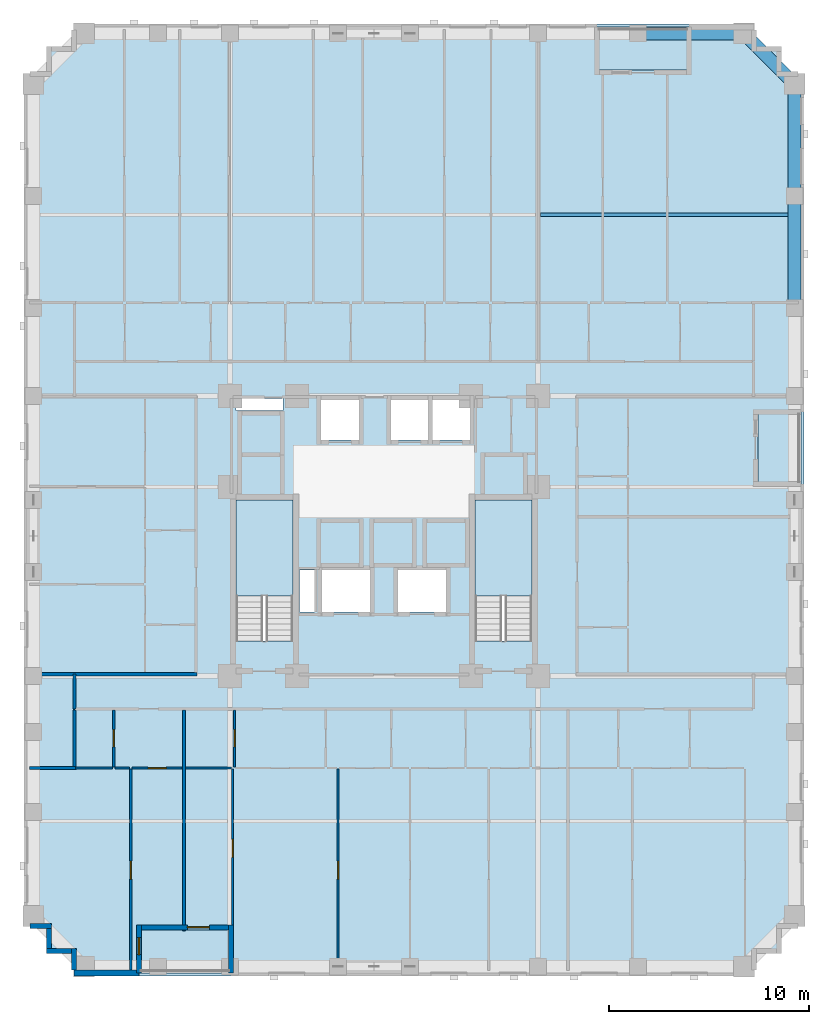
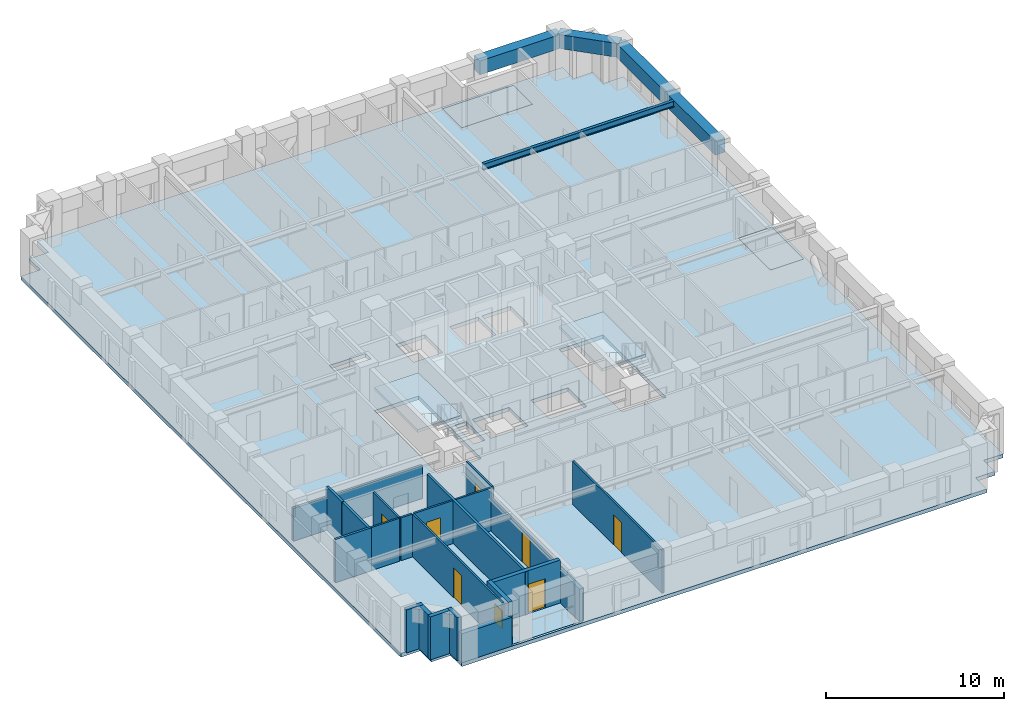
# One storey, part 2 of 14: 22 walls, 7 doors, 6 slabs, 5 beams, 1 window, 8 openings, 2 elements without a shape of their own.
"""IFC4 building model written with IfcOpenShell, lengths in metres."""

import ifcopenshell
import ifcopenshell.guid

model = None  # the IFC model being written
_history = None  # IfcOwnerHistory: only IFC2X3 demands one
_inside = {}  # id of a spatial element -> (the spatial element, [elements in it])
_under = {}  # id of a project, library or spatial element -> (it, [spatial elements below it])
_declared = {}  # id of a project -> (the project, [libraries it declares])
_typed = {}  # id of a type object -> (the type object, [elements of that type])
_made_of = {}  # id of a material, layer set ... -> (it, [elements and type objects made of it])


def new_model(schema):
    """Start an empty IFC model of exactly this schema.

    Asked for "IFC4X3", IfcOpenShell would pick the latest addendum, in which some entities
    have other attributes; the version numbers below select the first issue.
    IFC2X3 requires an IfcOwnerHistory on every rooted entity: one is made here for all.
    """
    global model, _history
    if schema == "IFC4X3":
        model = ifcopenshell.file(schema_version=(4, 3, 0, 0))
    else:
        model = ifcopenshell.file(schema=schema)
    _inside.clear()
    _under.clear()
    _declared.clear()
    _typed.clear()
    _made_of.clear()
    _history = None
    if model.schema == "IFC2X3":
        org = make("IfcOrganization", Name="unknown")
        user = make(
            "IfcPersonAndOrganization",
            ThePerson=make("IfcPerson", FamilyName="unknown"),
            TheOrganization=org,
        )
        app = make(
            "IfcApplication",
            ApplicationDeveloper=org,
            Version="unknown",
            ApplicationFullName="unknown",
            ApplicationIdentifier="unknown",
        )
        _history = make(
            "IfcOwnerHistory",
            OwningUser=user,
            OwningApplication=app,
            ChangeAction="ADDED",
            CreationDate=0,
        )
    return model


def make(cls, **values):
    """One entity of the class cls with the attributes given. An attribute that is None is left unset."""
    return model.create_entity(
        cls, **{name: value for name, value in values.items() if value is not None}
    )


def rooted(cls, **values):
    """An entity with a GlobalId (a new one), such as an element, a storey or a relation."""
    return make(cls, GlobalId=ifcopenshell.guid.new(), OwnerHistory=_history, **values)


def si_unit(unit_type, name, prefix=None):
    """IfcSIUnit, for example si_unit("LENGTHUNIT", "METRE", prefix="MILLI")."""
    return make("IfcSIUnit", UnitType=unit_type, Prefix=prefix, Name=name)


def derived_unit(unit_type, elements):
    """IfcDerivedUnit: a product of units, each with its exponent."""
    return make(
        "IfcDerivedUnit",
        Elements=[
            make("IfcDerivedUnitElement", Unit=unit, Exponent=power)
            for unit, power in elements
        ],
        UnitType=unit_type,
    )


def assignment(units):
    """IfcUnitAssignment: the units of a project."""
    return None if units is None else make("IfcUnitAssignment", Units=units)


def point(xyz):
    """IfcCartesianPoint."""
    return None if xyz is None else make("IfcCartesianPoint", Coordinates=xyz)


def direction(xyz):
    """IfcDirection."""
    return None if xyz is None else make("IfcDirection", DirectionRatios=xyz)


def frame(location, z_axis=None, x_axis=None):
    """IfcAxis2Placement3D, a coordinate frame: its origin and axes. An axis left out is left unset."""
    return make(
        "IfcAxis2Placement3D",
        Location=point(location),
        Axis=direction(z_axis),
        RefDirection=direction(x_axis),
    )


def frame_2d(location, x_axis=None):
    """IfcAxis2Placement2D, a coordinate frame in the plane: its origin and x axis."""
    return make(
        "IfcAxis2Placement2D", Location=point(location), RefDirection=direction(x_axis)
    )


def origin():
    """The frame at (0, 0, 0) with its axes left unset."""
    return frame((0.0, 0.0, 0.0))


def origin_2d():
    """The frame at (0, 0) in the plane with its x axis left unset."""
    return frame_2d((0.0, 0.0))


def place(relative_to, where):
    """IfcLocalPlacement: puts the frame where relative to a parent placement (None: the world)."""
    return make(
        "IfcLocalPlacement", PlacementRelTo=relative_to, RelativePlacement=where
    )


def context(
    kind, dimensions, precision=None, world=None, true_north=None, identifier=None
):
    """IfcGeometricRepresentationContext, for example the 3D "Model" context."""
    return make(
        "IfcGeometricRepresentationContext",
        ContextIdentifier=identifier,
        ContextType=kind,
        CoordinateSpaceDimension=dimensions,
        Precision=precision,
        WorldCoordinateSystem=world,
        TrueNorth=true_north,
    )


def subcontext(parent, identifier, kind, view, scale=None):
    """IfcGeometricRepresentationSubContext, for example "Body" below "Model"."""
    return make(
        "IfcGeometricRepresentationSubContext",
        ContextIdentifier=identifier,
        ContextType=kind,
        ParentContext=parent,
        TargetScale=scale,
        TargetView=view,
    )


def project(units=None, contexts=None):
    """IfcProject with its units and contexts."""
    return rooted(
        "IfcProject",
        Name="project",
        RepresentationContexts=contexts,
        UnitsInContext=assignment(units),
    )


def spatial(cls, under=None, at=None, **own):
    """A site, building, storey or space (cls), placed at a placement, below another one or the project."""
    s = rooted(cls, ObjectPlacement=at, **own)
    if under is not None:
        _under.setdefault(under.id(), (under, []))[1].append(s)
    return s


def polyline(points):
    """IfcPolyline through the points."""
    return make("IfcPolyline", Points=[point(p) for p in points])


def profile(cls, at=None, kind="AREA", **sizes):
    """A parametric profile (cls). Its sizes go by their IFC names, for example OverallWidth=200.0."""
    return make(cls, ProfileType=kind, Position=at, **sizes)


def rectangle(**sizes):
    """IfcRectangleProfileDef."""
    return profile("IfcRectangleProfileDef", **sizes)


def i_section(**sizes):
    """IfcIShapeProfileDef."""
    return profile("IfcIShapeProfileDef", **sizes)


def outline(outer, holes=None, kind="AREA"):
    """IfcArbitraryClosedProfileDef: a profile drawn as a closed curve; with holes, ...WithVoids."""
    if holes is None:
        return make("IfcArbitraryClosedProfileDef", ProfileType=kind, OuterCurve=outer)
    return make(
        "IfcArbitraryProfileDefWithVoids",
        ProfileType=kind,
        OuterCurve=outer,
        InnerCurves=holes,
    )


def extrude(swept, where, along, depth):
    """IfcExtrudedAreaSolid: the profile swept, set in the frame where, extruded along a direction by depth."""
    return make(
        "IfcExtrudedAreaSolid",
        SweptArea=swept,
        Position=where,
        ExtrudedDirection=direction(along),
        Depth=depth,
    )


def shape(context_of_items, identifier, shape_type, items):
    """IfcShapeRepresentation: the items that make up one representation, for example the "Body"."""
    return make(
        "IfcShapeRepresentation",
        ContextOfItems=context_of_items,
        RepresentationIdentifier=identifier,
        RepresentationType=shape_type,
        Items=items,
    )


def material(Name=None, Category=None):
    """IfcMaterial."""
    return make("IfcMaterial", Name=Name, Category=Category)


def layer(
    of_material, thickness, ventilated=None, Name=None, Category=None, Priority=None
):
    """IfcMaterialLayer: one layer of a wall or slab, of a material (None: an air gap)."""
    return make(
        "IfcMaterialLayer",
        Material=of_material,
        LayerThickness=thickness,
        IsVentilated=ventilated,
        Name=Name,
        Category=Category,
        Priority=Priority,
    )


def layer_set(layers, Name=None):
    """IfcMaterialLayerSet."""
    return make("IfcMaterialLayerSet", MaterialLayers=layers, LayerSetName=Name)


def material_profile(
    of_material, cross_section, Name=None, Category=None, Priority=None
):
    """IfcMaterialProfile: a cross section and its material."""
    return make(
        "IfcMaterialProfile",
        Name=Name,
        Material=of_material,
        Profile=cross_section,
        Priority=Priority,
        Category=Category,
    )


def profile_set(profiles, Name=None, composite=None):
    """IfcMaterialProfileSet."""
    return make(
        "IfcMaterialProfileSet",
        Name=Name,
        MaterialProfiles=profiles,
        CompositeProfile=composite,
    )


def made_of(thing, what):
    """Note that an element or type object is made of a material, layer set ...; save() writes the relation."""
    if what is not None:
        _made_of.setdefault(what.id(), (what, []))[1].append(thing)
    return thing


def type_object(cls, material=None, **own):
    """A type object (cls), such as IfcWallType, which elements share."""
    return made_of(rooted(cls, **own), material)


def element(
    cls,
    number,
    at=None,
    inside=None,
    cuts=None,
    type_object=None,
    material=None,
    context=None,
    identifier="Body",
    shape_type=None,
    held_by="IfcProductDefinitionShape",
    body=None,
    shapes=None,
    **own,
):
    """One element of the class cls, such as IfcWall. Its Tag is "e" and its number.

    at: its placement. inside: the storey or other place that contains it. cuts: it is an
    opening in that element (IfcRelVoidsElement). A single representation is given by context,
    identifier, shape_type and body (its items); several are given by shapes. held_by: the class
    of the entity that holds the representations. save() writes the other relations.
    """
    e = rooted(cls, Tag="e%d" % number, ObjectPlacement=at, **own)
    if body is not None:
        shapes = [shape(context, identifier, shape_type, body)]
    if shapes is not None:
        e.Representation = make(held_by, Representations=shapes)
    if inside is not None:
        _inside.setdefault(inside.id(), (inside, []))[1].append(e)
    if cuts is not None:
        rooted(
            "IfcRelVoidsElement", RelatingBuildingElement=cuts, RelatedOpeningElement=e
        )
    if type_object is not None:
        _typed.setdefault(type_object.id(), (type_object, []))[1].append(e)
    return made_of(e, material)


def fill(opening, filler):
    """IfcRelFillsElement: the door or window that sits in an opening."""
    return rooted(
        "IfcRelFillsElement",
        RelatingOpeningElement=opening,
        RelatedBuildingElement=filler,
    )


def aggregate(whole, parts):
    """IfcRelAggregates: a whole, such as a stair, and the parts it consists of."""
    return rooted("IfcRelAggregates", RelatingObject=whole, RelatedObjects=parts)


def save(model, path):
    """Write the relations noted so far, then the file.

    IfcRelAggregates (storeys below a building ...), IfcRelContainedInSpatialStructure (elements
    in a storey), IfcRelDefinesByType, IfcRelAssociatesMaterial and IfcRelDeclares: one each for
    every whole, place, type object, material and project.
    """
    for whole, parts in _under.values():
        aggregate(whole, parts)
    for where, things in _inside.values():
        rooted(
            "IfcRelContainedInSpatialStructure",
            RelatedElements=things,
            RelatingStructure=where,
        )
    for kind, things in _typed.values():
        rooted("IfcRelDefinesByType", RelatedObjects=things, RelatingType=kind)
    for what, things in _made_of.values():
        rooted("IfcRelAssociatesMaterial", RelatedObjects=things, RelatingMaterial=what)
    for by, libraries in _declared.values():
        rooted("IfcRelDeclares", RelatingContext=by, RelatedDefinitions=libraries)
    model.write(path)


model = new_model("IFC4")

# Units and contexts
model_context = context("Model", 3, precision=1e-05, world=origin(), true_north=direction((0.0, 1.0)))
body_context = subcontext(model_context, "Body", "Model", "MODEL_VIEW")
ifc_project = project(units=[si_unit("LENGTHUNIT", "METRE"), si_unit("AREAUNIT", "SQUARE_METRE"), si_unit("VOLUMEUNIT", "CUBIC_METRE"), si_unit("PLANEANGLEUNIT", "RADIAN"), si_unit("MASSUNIT", "GRAM", prefix="KILO"), derived_unit("THERMALTRANSMITTANCEUNIT", [(si_unit("MASSUNIT", "GRAM", prefix="KILO"), 1), (si_unit("TIMEUNIT", "SECOND"), -3), (si_unit("THERMODYNAMICTEMPERATUREUNIT", "KELVIN"), -1)])], contexts=[model_context])

# Site, building, storey
site_placement = place(None, origin())
site = spatial("IfcSite", under=ifc_project, at=site_placement, CompositionType="ELEMENT")
building_placement = place(site_placement, origin())
building = spatial("IfcBuilding", under=site, at=building_placement, Name="Korrvale Station Residences", CompositionType="ELEMENT")
storey_placement = place(building_placement, frame((0.0, 0.0, 51.39990234375)))
storey = spatial("IfcBuildingStorey", under=building, at=storey_placement, Name="L13", CompositionType="ELEMENT", Elevation=51.39990234375)

# Beams
ifc_material_1 = material(Name="Steel S355", Category="steel")
ifc_material_profile_1 = material_profile(ifc_material_1, i_section(OverallWidth=0.180908203125, OverallDepth=0.4169921875, WebThickness=0.010986328125, FlangeThickness=0.018310546875, FilletRadius=0.01611328125, at=origin_2d()), Name="W410x85")
ifc_profile_set_1 = profile_set([ifc_material_profile_1], Name="Steel S355")
beam_type_1 = type_object("IfcBeamType", Name="BM-JST-W410x85-S355", PredefinedType="JOIST", material=ifc_profile_set_1)
beam_1_placement = place(storey_placement, frame((33.327880859375, 38.06005859375, 2.731689453125), z_axis=(1.0, 0.0, 0.0), x_axis=(0.0, 1.0, 0.0)))
element("IfcBeam", 1, at=beam_1_placement, inside=storey, type_object=beam_type_1, Name="L13 Floor Framing Joist 06", PredefinedType="JOIST", context=body_context, shape_type="SweptSolid", body=[
    extrude(i_section(OverallWidth=0.180908203125, OverallDepth=0.4169921875, WebThickness=0.010986328125, FlangeThickness=0.018310546875, FilletRadius=0.01611328125, at=origin_2d()), origin(), (0.0, 0.0, 1.0), 12.3671875),
])
ifc_material_2 = material(Name="Concrete C70/85", Category="concrete")
ifc_material_profile_2 = material_profile(ifc_material_2, rectangle(XDim=0.64990234375, YDim=0.949951171875, at=origin_2d()), Name="RCB650x950")
ifc_profile_set_2 = profile_set([ifc_material_profile_2], Name="Concrete C70/85")
beam_type_2 = type_object("IfcBeamType", Name="BM-SPB-RCB650x950-C7085", PredefinedType="SPANDREL", material=ifc_profile_set_2)
beam_2_placement = place(storey_placement, frame((38.199951171875, 47.1201171875, 2.465087890625), z_axis=(1.0, 0.0, 0.0), x_axis=(0.0, 1.0, 0.0)))
element("IfcBeam", 2, at=beam_2_placement, inside=storey, type_object=beam_type_2, Name="L13 North Tube Spandrel 14", PredefinedType="SPANDREL", context=body_context, shape_type="SweptSolid", body=[
    extrude(rectangle(XDim=0.64990234375, YDim=0.949951171875, at=origin_2d()), origin(), (0.0, 0.0, 1.0), 5.300048828125),
])
for number, where, z_axis, x_axis, name in (
    (3, (46.02001953125, 33.39990234375, 2.465087890625), (0.0, 1.0, 0.0), (-1.0, 0.0, 0.0), "L13 East Tube Spandrel 31"),
    (4, (46.02001953125, 39.0, 2.465087890625), (0.0, 1.0, 0.0), (-1.0, 0.0, 0.0), "L13 East Tube Spandrel 32"),
):
    element("IfcBeam", number, at=place(storey_placement, frame(where, z_axis=z_axis, x_axis=x_axis)), inside=storey, type_object=beam_type_2, Name=name, PredefinedType="SPANDREL", context=body_context, shape_type="SweptSolid", body=[
        extrude(rectangle(XDim=0.64990234375, YDim=0.949951171875, at=origin_2d()), origin(), (0.0, 0.0, 1.0), 5.60009765625),
    ])
beam_3_placement = place(storey_placement, frame((43.5, 47.1201171875, 2.465087890625), z_axis=(0.707106781187, -0.707106781187, 0.0), x_axis=(0.707106781187, 0.707106781187, 0.0)))
element("IfcBeam", 5, at=beam_3_placement, inside=storey, type_object=beam_type_2, Name="L13 Serrated Corner Spandrel 35", PredefinedType="SPANDREL", context=body_context, shape_type="SweptSolid", body=[
    extrude(rectangle(XDim=0.64990234375, YDim=0.949951171875, at=origin_2d()), origin(), (0.0, 0.0, 1.0), 3.56396484375),
])

# Slabs
ifc_material_3 = material(Name="Concrete C50/60", Category="concrete")
ifc_layer_1 = layer(ifc_material_3, 0.219970703125, Name="Concrete C50/60")
ifc_layer_set_1 = layer_set([ifc_layer_1], Name="Concrete C50/60")
slab_type_1 = type_object("IfcSlabType", Name="SLB-BAL-220", PredefinedType="FLOOR", material=ifc_layer_set_1)
slab_1_placement = place(storey_placement, frame((0.0, 0.0, -0.219970703125)))
element("IfcSlab", 6, at=slab_1_placement, inside=storey, type_object=slab_type_1, Name="L13 Recessed Loggia Balcony Slab BAL-L13-S1", PredefinedType="FLOOR", context=body_context, shape_type="SweptSolid", body=[
    extrude(outline(polyline([(13.25, 0.14990234375), (17.85009765625, 0.14990234375), (17.85009765625, 2.300048828125), (13.25, 2.300048828125), (13.25, 0.14990234375)])), origin(), (0.0, 0.0, 1.0), 0.219970703125),
])
slab_2_placement = place(storey_placement, frame((0.0, 0.0, -0.219970703125)))
element("IfcSlab", 7, at=slab_2_placement, inside=storey, type_object=slab_type_1, Name="L13 Recessed Loggia Balcony Slab BAL-L13-N1", PredefinedType="FLOOR", context=body_context, shape_type="SweptSolid", body=[
    extrude(outline(polyline([(36.14990234375, 45.300048828125), (40.75, 45.300048828125), (40.75, 47.449951171875), (36.14990234375, 47.449951171875), (36.14990234375, 45.300048828125)])), origin(), (0.0, 0.0, 1.0), 0.219970703125),
])
slab_3_placement = place(storey_placement, frame((0.0, 0.0, -0.219970703125)))
element("IfcSlab", 8, at=slab_3_placement, inside=storey, type_object=slab_type_1, Name="L13 Recessed Loggia Balcony Slab BAL-L13-E1", PredefinedType="FLOOR", context=body_context, shape_type="SweptSolid", body=[
    extrude(outline(polyline([(44.199951171875, 24.60009765625), (46.35009765625, 24.60009765625), (46.35009765625, 28.199951171875), (44.199951171875, 28.199951171875), (44.199951171875, 24.60009765625)])), origin(), (0.0, 0.0, 1.0), 0.219970703125),
])
ifc_layer_2 = layer(ifc_material_3, 0.260009765625, Name="Concrete C50/60")
ifc_layer_set_2 = layer_set([ifc_layer_2], Name="Concrete C50/60")
slab_type_2 = type_object("IfcSlabType", Name="SLB-FLR-260", PredefinedType="FLOOR", material=ifc_layer_set_2)
slab_4_placement = place(storey_placement, frame((0.0, 0.0, -0.260009765625)))
element("IfcSlab", 9, at=slab_4_placement, inside=storey, type_object=slab_type_2, Name="L13 Suspended Structural Floor Slab", PredefinedType="FLOOR", context=body_context, shape_type="SweptSolid", body=[
    extrude(outline(polyline([(10.0, 0.0), (44.0, 0.0), (44.0, 1.25), (45.25, 1.25), (45.25, 2.5), (46.5, 2.5), (46.5, 45.10009765625), (45.25, 45.10009765625), (45.25, 46.35009765625), (44.0, 46.35009765625), (44.0, 47.60009765625), (10.0, 47.60009765625), (10.0, 46.35009765625), (8.75, 46.35009765625), (8.75, 45.10009765625), (7.5, 45.10009765625), (7.5, 2.5), (8.75, 2.5), (8.75, 1.25), (10.0, 1.25), (10.0, 0.0)]), holes=[polyline([(20.949951171875, 16.751953125), (20.949951171875, 23.800048828125), (18.10009765625, 23.800048828125), (18.10009765625, 16.751953125), (20.949951171875, 16.751953125)]), polyline([(32.89990234375, 16.751953125), (32.89990234375, 23.800048828125), (30.050048828125, 23.800048828125), (30.050048828125, 16.751953125), (32.89990234375, 16.751953125)]), polyline([(22.35009765625, 26.800048828125), (24.25, 26.800048828125), (24.25, 28.800048828125), (22.35009765625, 28.800048828125), (22.35009765625, 26.800048828125)]), polyline([(25.85009765625, 26.800048828125), (27.7099609375, 26.800048828125), (27.7099609375, 28.800048828125), (25.85009765625, 28.800048828125), (25.85009765625, 26.800048828125)]), polyline([(27.929931640625, 26.800048828125), (29.7900390625, 26.800048828125), (29.7900390625, 28.800048828125), (27.929931640625, 28.800048828125), (27.929931640625, 26.800048828125)]), polyline([(22.39990234375, 18.199951171875), (24.800048828125, 18.199951171875), (24.800048828125, 20.300048828125), (22.39990234375, 20.300048828125), (22.39990234375, 18.199951171875)]), polyline([(26.199951171875, 18.199951171875), (28.60009765625, 18.199951171875), (28.60009765625, 20.300048828125), (26.199951171875, 20.300048828125), (26.199951171875, 18.199951171875)]), polyline([(18.10009765625, 28.280029296875), (20.449951171875, 28.280029296875), (20.449951171875, 28.8798828125), (18.10009765625, 28.8798828125), (18.10009765625, 28.280029296875)]), polyline([(21.280029296875, 18.199951171875), (22.02001953125, 18.199951171875), (22.02001953125, 20.300048828125), (21.280029296875, 20.300048828125), (21.280029296875, 18.199951171875)]), polyline([(13.25, 0.14990234375), (17.85009765625, 0.14990234375), (17.85009765625, 2.300048828125), (13.25, 2.300048828125), (13.25, 0.14990234375)]), polyline([(36.14990234375, 45.300048828125), (40.75, 45.300048828125), (40.75, 47.449951171875), (36.14990234375, 47.449951171875), (36.14990234375, 45.300048828125)]), polyline([(44.199951171875, 24.60009765625), (46.35009765625, 24.60009765625), (46.35009765625, 28.199951171875), (44.199951171875, 28.199951171875), (44.199951171875, 24.60009765625)])]), origin(), (0.0, 0.0, 1.0), 0.260009765625),
])

# Stair, slab
stair_type = type_object("IfcStairType", Name="STR-DL-1350-18R-1778", PredefinedType="HALF_TURN_STAIR", material=ifc_material_3)
stair_1_placement = place(storey_placement, origin())
stair_1 = element("IfcStair", 10, at=stair_1_placement, inside=storey, type_object=stair_type, Name="L13 Exit Stair 1", PredefinedType="HALF_TURN_STAIR")
ifc_layer_3 = layer(ifc_material_3, 0.199951171875, Name="Concrete C50/60")
ifc_layer_set_3 = layer_set([ifc_layer_3], Name="Concrete C50/60")
slab_type_3 = type_object("IfcSlabType", Name="SLB-LND-200", PredefinedType="LANDING", material=ifc_layer_set_3)
slab_5_placement = place(storey_placement, frame((0.0, 0.0, 1.400146484375)))
slab_5 = element("IfcSlab", 11, at=slab_5_placement, type_object=slab_type_3, Name="ST-1 landing 1", PredefinedType="LANDING", context=body_context, shape_type="SweptSolid", body=[
    extrude(outline(polyline([(20.949951171875, 18.989990234375), (20.949951171875, 23.800048828125), (18.10009765625, 23.800048828125), (18.10009765625, 18.989990234375), (20.949951171875, 18.989990234375)])), origin(), (0.0, 0.0, 1.0), 0.199951171875),
])
aggregate(stair_1, [slab_5])

stair_2_placement = place(storey_placement, origin())
stair_2 = element("IfcStair", 12, at=stair_2_placement, inside=storey, type_object=stair_type, Name="L13 Exit Stair 2", PredefinedType="HALF_TURN_STAIR")
slab_6_placement = place(storey_placement, frame((0.0, 0.0, 1.400146484375)))
slab_6 = element("IfcSlab", 13, at=slab_6_placement, type_object=slab_type_3, Name="ST-2 landing 1", PredefinedType="LANDING", context=body_context, shape_type="SweptSolid", body=[
    extrude(outline(polyline([(32.89990234375, 18.989990234375), (32.89990234375, 23.800048828125), (30.050048828125, 23.800048828125), (30.050048828125, 18.989990234375), (32.89990234375, 18.989990234375)])), origin(), (0.0, 0.0, 1.0), 0.199951171875),
])
aggregate(stair_2, [slab_6])

# Wall
ifc_material_4 = material(Name="Precast concrete C45/55", Category="concrete")
ifc_layer_4 = layer(ifc_material_4, 0.260009765625, Name="Precast concrete C45/55")
ifc_layer_set_4 = layer_set([ifc_layer_4], Name="Precast concrete C45/55")
wall_type_1 = type_object("IfcWallType", Name="WAL-EXT-LOG260", PredefinedType="SOLIDWALL", material=ifc_layer_set_4)
wall_1_placement = place(storey_placement, frame((17.85009765625, 0.159912109375, 0.0), z_axis=(0.0, 0.0, 1.0), x_axis=(0.0, 1.0, 0.0)))
element("IfcWall", 14, at=wall_1_placement, inside=storey, type_object=wall_type_1, Name="L13 Recessed Loggia Wall BAL-L13-S1-L", PredefinedType="SOLIDWALL", context=body_context, shape_type="SweptSolid", body=[
    extrude(rectangle(XDim=2.400146484375, YDim=0.260009765625, at=frame_2d((1.2001953125, 0.0))), origin(), (0.0, 0.0, 1.0), 2.232177734375),
])

# Wall, opening, door
wall_2_placement = place(storey_placement, frame((17.716064453125, 2.429931640625, 0.0), z_axis=(0.0, 0.0, 1.0), x_axis=(-1.0, 0.0, 0.0)))
wall_2 = element("IfcWall", 15, at=wall_2_placement, inside=storey, type_object=wall_type_1, Name="L13 Recessed Loggia Wall BAL-L13-S1-B", PredefinedType="SOLIDWALL", context=body_context, shape_type="SweptSolid", body=[
    extrude(rectangle(XDim=4.33203125, YDim=0.260009765625, at=frame_2d((2.166015625, 0.0))), origin(), (0.0, 0.0, 1.0), 2.940185546875),
])
opening_1_placement = place(wall_2_placement, frame((0.949951171875, 0.0, 0.0)))
opening_1 = element("IfcOpeningElement", 16, at=opening_1_placement, cuts=wall_2, Name="Opening BD-01", PredefinedType="OPENING", context=body_context, shape_type="SweptSolid", body=[
    extrude(rectangle(XDim=1.10009765625, YDim=2.0, at=frame_2d((0.550048828125, 1.0))), frame((0.0, 0.14013671875, 0.0), z_axis=(0.0, -1.0, 0.0), x_axis=(1.0, 0.0, 0.0)), (0.0, 0.0, 1.0), 0.280029296875),
])
ifc_material_5 = material(Name="Exterior thermally broken aluminium glazed balcony door", Category="aluminium")
door_type_1 = type_object("IfcDoorType", Name="DR-EXT-BAL", OperationType="NOTDEFINED", PredefinedType="DOOR", material=ifc_material_5)
door_1_placement = place(opening_1_placement, origin())
door_1 = element("IfcDoor", 17, at=door_1_placement, inside=storey, type_object=door_type_1, Name="L13 Loggia Balcony Door BAL-L13-S1", OperationType="SINGLE_SWING_LEFT", OverallHeight=2.0, OverallWidth=1.10009765625, PredefinedType="DOOR", context=body_context, shape_type="SweptSolid", body=[
    extrude(rectangle(XDim=1.10009765625, YDim=2.0, at=frame_2d((0.550048828125, 1.0))), frame((0.0, 0.02490234375, 0.0), z_axis=(0.0, -1.0, 0.0), x_axis=(1.0, 0.0, 0.0)), (0.0, 0.0, 1.0), 0.050048828125),
])
fill(opening_1, door_1)

# Wall, opening, window
wall_3_placement = place(storey_placement, frame((13.25, 2.56005859375, 0.0), z_axis=(0.0, 0.0, 1.0), x_axis=(0.0, -1.0, 0.0)))
wall_3 = element("IfcWall", 18, at=wall_3_placement, inside=storey, type_object=wall_type_1, Name="L13 Recessed Loggia Wall BAL-L13-S1-R", PredefinedType="SOLIDWALL", context=body_context, shape_type="SweptSolid", body=[
    extrude(rectangle(XDim=2.400146484375, YDim=0.260009765625, at=frame_2d((1.2001953125, 0.0))), origin(), (0.0, 0.0, 1.0), 2.940185546875),
])
opening_2_placement = place(wall_3_placement, frame((0.64501953125, 0.0, 0.550048828125)))
opening_2 = element("IfcOpeningElement", 19, at=opening_2_placement, cuts=wall_3, Name="Opening W-11", PredefinedType="OPENING", context=body_context, shape_type="SweptSolid", body=[
    extrude(rectangle(XDim=0.85009765625, YDim=1.199951171875, at=frame_2d((0.425048828125, 0.60009765625))), frame((0.0, 0.14013671875, 0.0), z_axis=(0.0, -1.0, 0.0), x_axis=(1.0, 0.0, 0.0)), (0.0, 0.0, 1.0), 0.280029296875),
])
ifc_material_6 = material(Name="Thermally broken aluminium frame with triple low-e glazing", Category="aluminium")
window_type = type_object("IfcWindowType", Name="WIN-W11", PartitioningType="SINGLE_PANEL", PredefinedType="WINDOW", material=ifc_material_6)
window_placement = place(opening_2_placement, origin())
window = element("IfcWindow", 20, at=window_placement, inside=storey, type_object=window_type, Name="L13 Punched Window 03", OverallHeight=1.199951171875, OverallWidth=0.85009765625, PartitioningType="SINGLE_PANEL", PredefinedType="WINDOW", context=body_context, shape_type="SweptSolid", body=[
    extrude(rectangle(XDim=0.85009765625, YDim=1.199951171875, at=frame_2d((0.425048828125, 0.60009765625))), frame((0.0, 0.030029296875, 0.0), z_axis=(0.0, -1.0, 0.0), x_axis=(1.0, 0.0, 0.0)), (0.0, 0.0, 1.0), 0.06005859375),
])
fill(opening_2, window)

# Walls
wall_4_placement = place(storey_placement, frame((10.0, 0.302001953125, 0.0), z_axis=(0.0, 0.0, 1.0), x_axis=(0.0, 1.0, 0.0)))
element("IfcWall", 21, at=wall_4_placement, inside=storey, type_object=wall_type_1, Name="L13 Serrated Corner Precast Step SW-1", PredefinedType="SOLIDWALL", context=body_context, shape_type="SweptSolid", body=[
    extrude(rectangle(XDim=1.077880859375, YDim=0.260009765625, at=frame_2d((0.5390625, 0.0))), origin(), (0.0, 0.0, 1.0), 2.940185546875),
])
wall_5_placement = place(storey_placement, frame((9.867919921875, 1.25, 0.0), z_axis=(0.0, 0.0, 1.0), x_axis=(-1.0, 0.0, 0.0)))
element("IfcWall", 22, at=wall_5_placement, inside=storey, type_object=wall_type_1, Name="L13 Serrated Corner Precast Step SW-2", PredefinedType="SOLIDWALL", context=body_context, shape_type="SweptSolid", body=[
    extrude(rectangle(XDim=1.247802734375, YDim=0.260009765625, at=frame_2d((0.6240234375, 0.0))), origin(), (0.0, 0.0, 1.0), 2.940185546875),
])
wall_6_placement = place(storey_placement, frame((8.75, 1.382080078125, 0.0), z_axis=(0.0, 0.0, 1.0), x_axis=(0.0, 1.0, 0.0)))
element("IfcWall", 23, at=wall_6_placement, inside=storey, type_object=wall_type_1, Name="L13 Serrated Corner Precast Step SW-3", PredefinedType="SOLIDWALL", context=body_context, shape_type="SweptSolid", body=[
    extrude(rectangle(XDim=0.98583984375, YDim=0.260009765625, at=frame_2d((0.492919921875, 0.0))), origin(), (0.0, 0.0, 1.0), 2.940185546875),
])
wall_7_placement = place(storey_placement, frame((8.8798828125, 2.5, 0.0), z_axis=(0.0, 0.0, 1.0), x_axis=(-1.0, 0.0, 0.0)))
element("IfcWall", 24, at=wall_7_placement, inside=storey, type_object=wall_type_1, Name="L13 Serrated Corner Precast Step SW-4", PredefinedType="SOLIDWALL", context=body_context, shape_type="SweptSolid", body=[
    extrude(rectangle(XDim=1.077880859375, YDim=0.260009765625, at=frame_2d((0.5390625, 0.0))), origin(), (0.0, 0.0, 1.0), 2.940185546875),
])
ifc_layer_5 = layer(ifc_material_4, 0.300048828125, Name="Precast concrete C45/55")
ifc_layer_set_5 = layer_set([ifc_layer_5], Name="Precast concrete C45/55")
wall_type_2 = type_object("IfcWallType", Name="WAL-EXT-PC300", PredefinedType="SOLIDWALL", material=ifc_layer_set_5)
wall_8_placement = place(storey_placement, frame((13.25, 0.14990234375, 0.0), z_axis=(0.0, 0.0, 1.0), x_axis=(-1.0, 0.0, 0.0)))
element("IfcWall", 25, at=wall_8_placement, inside=storey, type_object=wall_type_2, Name="L13 South Exterior Precast Wall 2", PredefinedType="SOLIDWALL", context=body_context, shape_type="SweptSolid", body=[
    extrude(rectangle(XDim=3.25, YDim=0.300048828125, at=frame_2d((1.625, 0.0))), origin(), (0.0, 0.0, 1.0), 1.97509765625),
])

# Wall, opening, door
ifc_material_7 = material(Name="Acoustic steel-stud gypsum board partition", Category="steel")
ifc_layer_6 = layer(ifc_material_7, 0.1201171875, Name="Acoustic steel-stud gypsum board partition")
ifc_layer_set_6 = layer_set([ifc_layer_6], Name="Acoustic steel-stud gypsum board partition")
wall_type_3 = type_object("IfcWallType", Name="WAL-PART-125", PredefinedType="PARTITIONING", material=ifc_layer_set_6)
wall_9_placement = place(storey_placement, frame((11.989990234375, 10.4599609375, 0.0), z_axis=(0.0, 0.0, 1.0), x_axis=(0.0, 1.0, 0.0)))
wall_9 = element("IfcWall", 26, at=wall_9_placement, inside=storey, type_object=wall_type_3, Name="L13 Suite Partition U01-V01", PredefinedType="PARTITIONING", context=body_context, shape_type="SweptSolid", body=[
    extrude(rectangle(XDim=2.85009765625, YDim=0.1201171875, at=frame_2d((1.425048828125, 0.0))), origin(), (0.0, 0.0, 1.0), 2.940185546875),
])
opening_3_placement = place(wall_9_placement, frame((0.9951171875, 0.0, 0.0)))
opening_3 = element("IfcOpeningElement", 27, at=opening_3_placement, cuts=wall_9, Name="Opening DB-860", PredefinedType="OPENING", context=body_context, shape_type="SweptSolid", body=[
    extrude(rectangle(XDim=0.860107421875, YDim=2.050048828125, at=frame_2d((0.43017578125, 1.02490234375))), frame((0.0, 0.070068359375, 0.0), z_axis=(0.0, -1.0, 0.0), x_axis=(1.0, 0.0, 0.0)), (0.0, 0.0, 1.0), 0.14013671875),
])
ifc_material_8 = material(Name="Moisture-resistant solid-core bathroom door", Category="timber")
door_type_2 = type_object("IfcDoorType", Name="DR-BATH-860", OperationType="NOTDEFINED", PredefinedType="DOOR", material=ifc_material_8)
door_2_placement = place(opening_3_placement, origin())
door_2 = element("IfcDoor", 28, at=door_2_placement, inside=storey, type_object=door_type_2, Name="L13 Studio Apartment L13-U01 Bathroom Door", OperationType="SINGLE_SWING_LEFT", OverallHeight=2.050048828125, OverallWidth=0.860107421875, PredefinedType="DOOR", context=body_context, shape_type="SweptSolid", body=[
    extrude(rectangle(XDim=0.860107421875, YDim=2.050048828125, at=frame_2d((0.43017578125, 1.02490234375))), frame((0.0, 0.02490234375, 0.0), z_axis=(0.0, -1.0, 0.0), x_axis=(1.0, 0.0, 0.0)), (0.0, 0.0, 1.0), 0.050048828125),
])
fill(opening_3, door_2)

# Walls
wall_10_placement = place(storey_placement, frame((10.080078125, 10.39990234375, 0.0), z_axis=(0.0, 0.0, 1.0), x_axis=(1.0, 0.0, 0.0)))
element("IfcWall", 29, at=wall_10_placement, inside=storey, type_object=wall_type_3, Name="L13 Suite Partition U01-H02", PredefinedType="PARTITIONING", context=body_context, shape_type="SweptSolid", body=[
    extrude(rectangle(XDim=1.849853515625, YDim=0.1201171875, at=frame_2d((0.9248046875, 0.0))), origin(), (0.0, 0.0, 1.0), 2.940185546875),
])
wall_11_placement = place(storey_placement, frame((12.050048828125, 10.39990234375, 0.0), z_axis=(0.0, 0.0, 1.0), x_axis=(1.0, 0.0, 0.0)))
element("IfcWall", 30, at=wall_11_placement, inside=storey, type_object=wall_type_3, Name="L13 Suite Partition U01-H12", PredefinedType="PARTITIONING", context=body_context, shape_type="SweptSolid", body=[
    extrude(rectangle(XDim=0.73583984375, YDim=0.1201171875, at=frame_2d((0.367919921875, 0.0))), origin(), (0.0, 0.0, 1.0), 2.940185546875),
])

# Wall, opening, door
wall_12_placement = place(storey_placement, frame((12.906005859375, 10.39990234375, 0.0), z_axis=(0.0, 0.0, 1.0), x_axis=(1.0, 0.0, 0.0)))
wall_12 = element("IfcWall", 31, at=wall_12_placement, inside=storey, type_object=wall_type_3, Name="L13 Suite Partition U01-H13", PredefinedType="PARTITIONING", context=body_context, shape_type="SweptSolid", body=[
    extrude(rectangle(XDim=2.5, YDim=0.1201171875, at=frame_2d((1.25, 0.0))), origin(), (0.0, 0.0, 1.0), 2.940185546875),
])
opening_4_placement = place(wall_12_placement, frame((0.800048828125, 0.0, 0.0)))
opening_4 = element("IfcOpeningElement", 32, at=opening_4_placement, cuts=wall_12, Name="Opening DI-900", PredefinedType="OPENING", context=body_context, shape_type="SweptSolid", body=[
    extrude(rectangle(XDim=0.89990234375, YDim=2.050048828125, at=frame_2d((0.449951171875, 1.02490234375))), frame((0.0, 0.070068359375, 0.0), z_axis=(0.0, -1.0, 0.0), x_axis=(1.0, 0.0, 0.0)), (0.0, 0.0, 1.0), 0.14013671875),
])
ifc_material_9 = material(Name="Painted solid-core timber interior room door", Category="wood")
door_type_3 = type_object("IfcDoorType", Name="DR-INT-900", OperationType="NOTDEFINED", PredefinedType="DOOR", material=ifc_material_9)
door_3_placement = place(opening_4_placement, origin())
door_3 = element("IfcDoor", 33, at=door_3_placement, inside=storey, type_object=door_type_3, Name="L13 Studio Apartment L13-U01 Kitchen Door", OperationType="SINGLE_SWING_RIGHT", OverallHeight=2.050048828125, OverallWidth=0.89990234375, PredefinedType="DOOR", context=body_context, shape_type="SweptSolid", body=[
    extrude(rectangle(XDim=0.89990234375, YDim=2.050048828125, at=frame_2d((0.449951171875, 1.02490234375))), frame((0.0, 0.02490234375, 0.0), z_axis=(0.0, -1.0, 0.0), x_axis=(1.0, 0.0, 0.0)), (0.0, 0.0, 1.0), 0.050048828125),
])
fill(opening_4, door_3)

wall_13_placement = place(storey_placement, frame((12.845947265625, 0.280029296875, 0.0), z_axis=(0.0, 0.0, 1.0), x_axis=(0.0, 1.0, 0.0)))
wall_13 = element("IfcWall", 34, at=wall_13_placement, inside=storey, type_object=wall_type_3, Name="L13 Suite Partition U01-V23", PredefinedType="PARTITIONING", context=body_context, shape_type="SweptSolid", body=[
    extrude(rectangle(XDim=10.06005859375, YDim=0.1201171875, at=frame_2d((5.030029296875, 0.0))), origin(), (0.0, 0.0, 1.0), 2.940185546875),
])
opening_5_placement = place(wall_13_placement, frame((4.56494140625, 0.0, 0.0)))
opening_5 = element("IfcOpeningElement", 35, at=opening_5_placement, cuts=wall_13, Name="Opening DI-900", PredefinedType="OPENING", context=body_context, shape_type="SweptSolid", body=[
    extrude(rectangle(XDim=0.89990234375, YDim=2.050048828125, at=frame_2d((0.449951171875, 1.02490234375))), frame((0.0, 0.070068359375, 0.0), z_axis=(0.0, -1.0, 0.0), x_axis=(1.0, 0.0, 0.0)), (0.0, 0.0, 1.0), 0.14013671875),
])
door_4_placement = place(opening_5_placement, origin())
door_4 = element("IfcDoor", 36, at=door_4_placement, inside=storey, type_object=door_type_3, Name="L13 Studio Apartment L13-U01 Studio Living Room Door", OperationType="SINGLE_SWING_LEFT", OverallHeight=2.050048828125, OverallWidth=0.89990234375, PredefinedType="DOOR", context=body_context, shape_type="SweptSolid", body=[
    extrude(rectangle(XDim=0.89990234375, YDim=2.050048828125, at=frame_2d((0.449951171875, 1.02490234375))), frame((0.0, 0.02490234375, 0.0), z_axis=(0.0, -1.0, 0.0), x_axis=(1.0, 0.0, 0.0)), (0.0, 0.0, 1.0), 0.050048828125),
])
fill(opening_5, door_4)

wall_14_placement = place(storey_placement, frame((18.02587890625, 10.4599609375, 0.0), z_axis=(0.0, 0.0, 1.0), x_axis=(0.0, 1.0, 0.0)))
wall_14 = element("IfcWall", 37, at=wall_14_placement, inside=storey, type_object=wall_type_3, Name="L13 Suite Partition U02-V01", PredefinedType="PARTITIONING", context=body_context, shape_type="SweptSolid", body=[
    extrude(rectangle(XDim=2.85009765625, YDim=0.1201171875, at=frame_2d((1.425048828125, 0.0))), origin(), (0.0, 0.0, 1.0), 2.940185546875),
])
opening_6_placement = place(wall_14_placement, frame((0.9951171875, 0.0, 0.0)))
opening_6 = element("IfcOpeningElement", 38, at=opening_6_placement, cuts=wall_14, Name="Opening DB-860", PredefinedType="OPENING", context=body_context, shape_type="SweptSolid", body=[
    extrude(rectangle(XDim=0.860107421875, YDim=2.050048828125, at=frame_2d((0.43017578125, 1.02490234375))), frame((0.0, 0.070068359375, 0.0), z_axis=(0.0, -1.0, 0.0), x_axis=(1.0, 0.0, 0.0)), (0.0, 0.0, 1.0), 0.14013671875),
])
door_5_placement = place(opening_6_placement, origin())
door_5 = element("IfcDoor", 39, at=door_5_placement, inside=storey, type_object=door_type_2, Name="L13 Apartment 2BR L13-U02 Bathroom Door", OperationType="SINGLE_SWING_RIGHT", OverallHeight=2.050048828125, OverallWidth=0.860107421875, PredefinedType="DOOR", context=body_context, shape_type="SweptSolid", body=[
    extrude(rectangle(XDim=0.860107421875, YDim=2.050048828125, at=frame_2d((0.43017578125, 1.02490234375))), frame((0.0, 0.02490234375, 0.0), z_axis=(0.0, -1.0, 0.0), x_axis=(1.0, 0.0, 0.0)), (0.0, 0.0, 1.0), 0.050048828125),
])
fill(opening_6, door_5)

# Wall
wall_15_placement = place(storey_placement, frame((15.56591796875, 10.39990234375, 0.0), z_axis=(0.0, 0.0, 1.0), x_axis=(1.0, 0.0, 0.0)))
element("IfcWall", 40, at=wall_15_placement, inside=storey, type_object=wall_type_3, Name="L13 Suite Partition U02-H06", PredefinedType="PARTITIONING", context=body_context, shape_type="SweptSolid", body=[
    extrude(rectangle(XDim=2.300048828125, YDim=0.1201171875, at=frame_2d((1.14990234375, 0.0))), origin(), (0.0, 0.0, 1.0), 2.940185546875),
])

# Wall, opening, door
wall_16_placement = place(storey_placement, frame((17.926025390625, 2.429931640625, 0.0), z_axis=(0.0, 0.0, 1.0), x_axis=(0.0, 1.0, 0.0)))
wall_16 = element("IfcWall", 41, at=wall_16_placement, inside=storey, type_object=wall_type_3, Name="L13 Suite Partition U02-V67", PredefinedType="PARTITIONING", context=body_context, shape_type="SweptSolid", body=[
    extrude(rectangle(XDim=7.91015625, YDim=0.1201171875, at=frame_2d((3.955078125, 0.0))), origin(), (0.0, 0.0, 1.0), 2.232177734375),
])
opening_7_placement = place(wall_16_placement, frame((3.5048828125, 0.0, 0.0)))
opening_7 = element("IfcOpeningElement", 42, at=opening_7_placement, cuts=wall_16, Name="Opening DI-900", PredefinedType="OPENING", context=body_context, shape_type="SweptSolid", body=[
    extrude(rectangle(XDim=0.89990234375, YDim=2.050048828125, at=frame_2d((0.449951171875, 1.02490234375))), frame((0.0, 0.070068359375, 0.0), z_axis=(0.0, -1.0, 0.0), x_axis=(1.0, 0.0, 0.0)), (0.0, 0.0, 1.0), 0.14013671875),
])
door_6_placement = place(opening_7_placement, origin())
door_6 = element("IfcDoor", 43, at=door_6_placement, inside=storey, type_object=door_type_3, Name="L13 Apartment 2BR L13-U02 Wardrobe Storage Room Door", OperationType="SINGLE_SWING_RIGHT", OverallHeight=2.050048828125, OverallWidth=0.89990234375, PredefinedType="DOOR", context=body_context, shape_type="SweptSolid", body=[
    extrude(rectangle(XDim=0.89990234375, YDim=2.050048828125, at=frame_2d((0.449951171875, 1.02490234375))), frame((0.0, 0.02490234375, 0.0), z_axis=(0.0, -1.0, 0.0), x_axis=(1.0, 0.0, 0.0)), (0.0, 0.0, 1.0), 0.050048828125),
])
fill(opening_7, door_6)

wall_17_placement = place(storey_placement, frame((23.199951171875, 0.280029296875, 0.0), z_axis=(0.0, 0.0, 1.0), x_axis=(0.0, 1.0, 0.0)))
wall_17 = element("IfcWall", 44, at=wall_17_placement, inside=storey, type_object=wall_type_3, Name="L13 Suite Partition U02-V78", PredefinedType="PARTITIONING", context=body_context, shape_type="SweptSolid", body=[
    extrude(rectangle(XDim=10.06005859375, YDim=0.1201171875, at=frame_2d((5.030029296875, 0.0))), origin(), (0.0, 0.0, 1.0), 2.940185546875),
])
opening_8_placement = place(wall_17_placement, frame((4.56494140625, 0.0, 0.0)))
opening_8 = element("IfcOpeningElement", 45, at=opening_8_placement, cuts=wall_17, Name="Opening DI-900", PredefinedType="OPENING", context=body_context, shape_type="SweptSolid", body=[
    extrude(rectangle(XDim=0.89990234375, YDim=2.050048828125, at=frame_2d((0.449951171875, 1.02490234375))), frame((0.0, 0.070068359375, 0.0), z_axis=(0.0, -1.0, 0.0), x_axis=(1.0, 0.0, 0.0)), (0.0, 0.0, 1.0), 0.14013671875),
])
door_7_placement = place(opening_8_placement, origin())
door_7 = element("IfcDoor", 46, at=door_7_placement, inside=storey, type_object=door_type_3, Name="L13 Apartment 2BR L13-U02 Living and Dining Room Door", OperationType="SINGLE_SWING_LEFT", OverallHeight=2.050048828125, OverallWidth=0.89990234375, PredefinedType="DOOR", context=body_context, shape_type="SweptSolid", body=[
    extrude(rectangle(XDim=0.89990234375, YDim=2.050048828125, at=frame_2d((0.449951171875, 1.02490234375))), frame((0.0, 0.02490234375, 0.0), z_axis=(0.0, -1.0, 0.0), x_axis=(1.0, 0.0, 0.0)), (0.0, 0.0, 1.0), 0.050048828125),
])
fill(opening_8, door_7)

# Walls
ifc_material_10 = material(Name="Fire-rated twin-stud gypsum and mineral wool shaftwall assembly", Category="gypsum")
ifc_layer_7 = layer(ifc_material_10, 0.159912109375, Name="Fire-rated twin-stud gypsum and mineral wool shaftwall assembly")
ifc_layer_set_7 = layer_set([ifc_layer_7], Name="Fire-rated twin-stud gypsum and mineral wool shaftwall assembly")
wall_type_4 = type_object("IfcWallType", Name="WAL-PART-200", PredefinedType="PARTITIONING", material=ifc_layer_set_7)
wall_18_placement = place(storey_placement, frame((10.02001953125, 13.35009765625, 0.0), z_axis=(0.0, 0.0, 1.0), x_axis=(0.0, 1.0, 0.0)))
element("IfcWall", 47, at=wall_18_placement, inside=storey, type_object=wall_type_4, Name="L13 Corridor South West Cap", PredefinedType="PARTITIONING", context=body_context, shape_type="SweptSolid", body=[
    extrude(rectangle(XDim=1.739990234375, YDim=0.159912109375, at=frame_2d((0.8701171875, 0.0))), origin(), (0.0, 0.0, 1.0), 2.940185546875),
])
wall_19_placement = place(storey_placement, frame((7.780029296875, 15.090087890625, 0.0), z_axis=(0.0, 0.0, 1.0), x_axis=(1.0, 0.0, 0.0)))
element("IfcWall", 48, at=wall_19_placement, inside=storey, type_object=wall_type_4, Name="L13 West Wing South Corridor Wall", PredefinedType="PARTITIONING", context=body_context, shape_type="SweptSolid", body=[
    extrude(rectangle(XDim=8.35986328125, YDim=0.159912109375, at=frame_2d((4.179931640625, 0.0))), origin(), (0.0, 0.0, 1.0), 2.232177734375),
])
wall_20_placement = place(storey_placement, frame((7.780029296875, 10.39990234375, 0.0), z_axis=(0.0, 0.0, 1.0), x_axis=(1.0, 0.0, 0.0)))
element("IfcWall", 49, at=wall_20_placement, inside=storey, type_object=wall_type_4, Name="L13 Corner Step Wall U01-L", PredefinedType="PARTITIONING", context=body_context, shape_type="SweptSolid", body=[
    extrude(rectangle(XDim=2.340087890625, YDim=0.159912109375, at=frame_2d((1.169921875, 0.0))), origin(), (0.0, 0.0, 1.0), 2.940185546875),
])
wall_21_placement = place(storey_placement, frame((10.02001953125, 10.39990234375, 0.0), z_axis=(0.0, 0.0, 1.0), x_axis=(0.0, 1.0, 0.0)))
element("IfcWall", 50, at=wall_21_placement, inside=storey, type_object=wall_type_4, Name="L13 Corner Step Cheek U01-L", PredefinedType="PARTITIONING", context=body_context, shape_type="SweptSolid", body=[
    extrude(rectangle(XDim=2.91015625, YDim=0.159912109375, at=frame_2d((1.455078125, 0.0))), origin(), (0.0, 0.0, 1.0), 2.940185546875),
])
wall_22_placement = place(storey_placement, frame((15.506103515625, 2.260009765625, 0.0), z_axis=(0.0, 0.0, 1.0), x_axis=(0.0, 1.0, 0.0)))
element("IfcWall", 51, at=wall_22_placement, inside=storey, type_object=wall_type_4, Name="L13 Demising Wall U02-W", PredefinedType="PARTITIONING", context=body_context, shape_type="SweptSolid", body=[
    extrude(rectangle(XDim=11.050048828125, YDim=0.159912109375, at=frame_2d((5.52490234375, 0.0))), origin(), (0.0, 0.0, 1.0), 2.940185546875),
])

save(model, "model.ifc")
